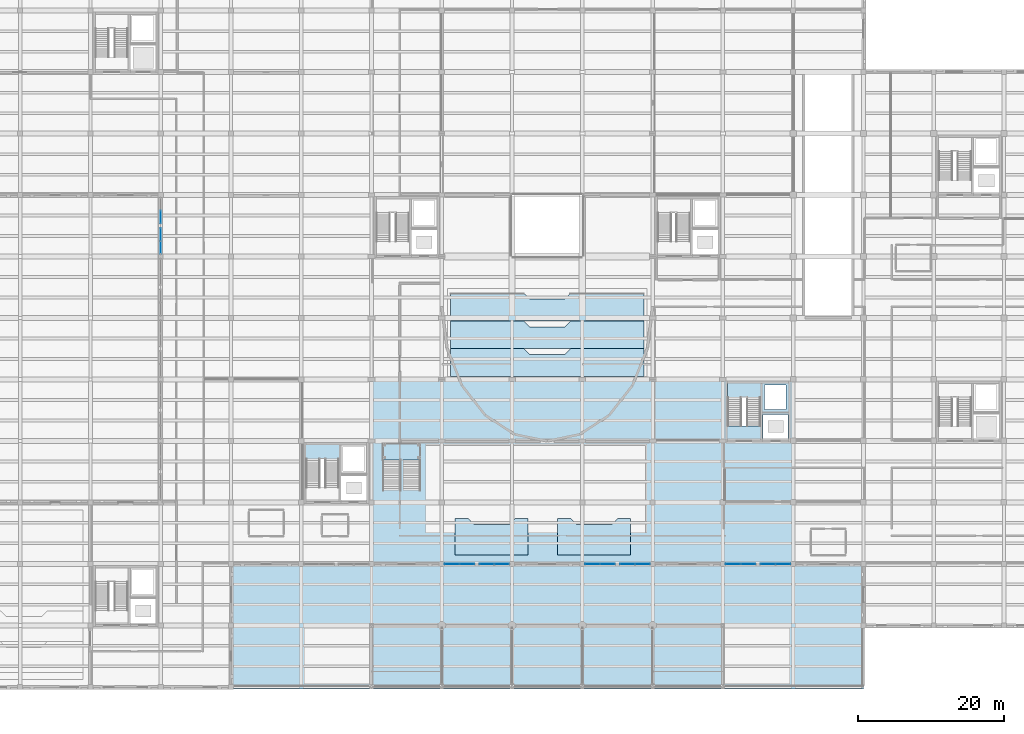
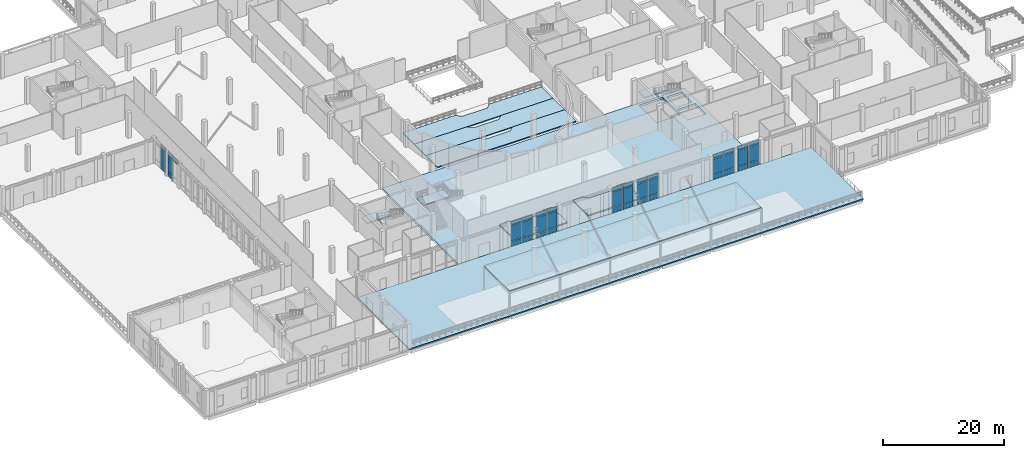
# One storey, part 41 of 71: 43 plates, 11 slabs, 11 elements without a shape of their own.
"""IFC4 building model written with IfcOpenShell, lengths in metres."""

from ifc_helpers import new_model, si_unit, direction, frame, origin, origin_2d, place, context, subcontext, project, spatial, polyline, rectangle, outline, extrude, material, layer, layer_set, type_object, element, aggregate, save


model = new_model("IFC4")

# Units and contexts
model_context = context("Model", 3, precision=1e-05, world=origin(), true_north=direction((0.0, 1.0)))
body_context = subcontext(model_context, "Body", "Model", "MODEL_VIEW")
ifc_project = project(units=[si_unit("LENGTHUNIT", "METRE"), si_unit("AREAUNIT", "SQUARE_METRE"), si_unit("VOLUMEUNIT", "CUBIC_METRE"), si_unit("PLANEANGLEUNIT", "RADIAN"), si_unit("MASSUNIT", "GRAM", prefix="KILO")], contexts=[model_context])

# Site, building, storey
site_placement = place(None, origin())
site = spatial("IfcSite", under=ifc_project, at=site_placement, CompositionType="ELEMENT")
building_placement = place(site_placement, origin())
building = spatial("IfcBuilding", under=site, at=building_placement, Name="Lornevale Opera House", CompositionType="ELEMENT")
storey_placement = place(building_placement, origin())
storey = spatial("IfcBuildingStorey", under=building, at=storey_placement, Name="L01", CompositionType="ELEMENT", Elevation=0.0)

# Curtain wall, plates
ifc_material_1 = material(Name="Anodized Oxide-Green Aluminium Framing", Category="aluminium")
ifc_layer_1 = layer(ifc_material_1, 0.215087890625)
ifc_layer_set_1 = layer_set([ifc_layer_1], Name="Anodized Oxide-Green Aluminium Framing")
curtain_wall_type = type_object("IfcCurtainWallType", Name="Grand Foyer Curtain Wall M2000", PredefinedType="NOTDEFINED", material=ifc_layer_set_1)
curtain_wall_1_placement = place(storey_placement, origin())
curtain_wall_1 = element("IfcCurtainWall", 1, at=curtain_wall_1_placement, inside=storey, type_object=curtain_wall_type, Name="Grand Foyer Curtain Wall M2000 CW-009", PredefinedType="NOTDEFINED")
ifc_material_2 = material(Name="Triple Low-E Insulated Glazing", Category="glass")
ifc_layer_2 = layer(ifc_material_2, 0.0419921875)
ifc_layer_set_2 = layer_set([ifc_layer_2], Name="Triple Low-E Insulated Glazing")
plate_type = type_object("IfcPlateType", Name="Ceramic Fritted Bird-Safe Panel 42", PredefinedType="CURTAIN_PANEL", material=ifc_layer_set_2)
plate_1_placement = place(storey_placement, frame((28.800048828125, 60.03955078125, 4.1875), z_axis=(0.0, 0.0, 1.0), x_axis=(0.0, 1.0, 0.0)))
plate_1 = element("IfcPlate", 2, at=plate_1_placement, type_object=plate_type, Name="Ceramic Fritted Bird-Safe Panel 42 CW0146", PredefinedType="CURTAIN_PANEL", context=body_context, shape_type="SweptSolid", body=[
    extrude(rectangle(XDim=1.68701171875, YDim=0.0419921875, at=origin_2d()), origin(), (0.0, 0.0, 1.0), 0.83740234375),
])
plate_2_placement = place(storey_placement, frame((28.800048828125, 61.801513671875, 0.074951171875), z_axis=(0.0, 0.0, 1.0), x_axis=(0.0, 1.0, 0.0)))
plate_2 = element("IfcPlate", 3, at=plate_2_placement, type_object=plate_type, Name="Ceramic Fritted Bird-Safe Panel 42 CW0151", PredefinedType="CURTAIN_PANEL", context=body_context, shape_type="SweptSolid", body=[
    extrude(rectangle(XDim=1.68701171875, YDim=0.0419921875, at=origin_2d()), origin(), (0.0, 0.0, 1.0), 0.9375),
])
plate_3_placement = place(storey_placement, frame((28.800048828125, 61.801513671875, 1.087646484375), z_axis=(0.0, 0.0, 1.0), x_axis=(0.0, 1.0, 0.0)))
plate_3 = element("IfcPlate", 4, at=plate_3_placement, type_object=plate_type, Name="Ceramic Fritted Bird-Safe Panel 42 CW0152", PredefinedType="CURTAIN_PANEL", context=body_context, shape_type="SweptSolid", body=[
    extrude(rectangle(XDim=1.68701171875, YDim=0.0419921875, at=origin_2d()), origin(), (0.0, 0.0, 1.0), 3.02490234375),
])
plate_4_placement = place(storey_placement, frame((28.800048828125, 61.801513671875, 4.1875), z_axis=(0.0, 0.0, 1.0), x_axis=(0.0, 1.0, 0.0)))
plate_4 = element("IfcPlate", 5, at=plate_4_placement, type_object=plate_type, Name="Ceramic Fritted Bird-Safe Panel 42 CW0153", PredefinedType="CURTAIN_PANEL", context=body_context, shape_type="SweptSolid", body=[
    extrude(rectangle(XDim=1.68701171875, YDim=0.0419921875, at=origin_2d()), origin(), (0.0, 0.0, 1.0), 0.83740234375),
])
aggregate(curtain_wall_1, [plate_1, plate_2, plate_3, plate_4])

curtain_wall_2_placement = place(storey_placement, origin())
curtain_wall_2 = element("IfcCurtainWall", 6, at=curtain_wall_2_placement, inside=storey, type_object=curtain_wall_type, Name="Grand Foyer Curtain Wall M2000 CW-010", PredefinedType="NOTDEFINED")
plate_5_placement = place(storey_placement, frame((28.800048828125, 64.1923828125, 0.074951171875), z_axis=(0.0, 0.0, 1.0), x_axis=(0.0, 1.0, 0.0)))
plate_5 = element("IfcPlate", 7, at=plate_5_placement, type_object=plate_type, Name="Ceramic Fritted Bird-Safe Panel 42 CW0161", PredefinedType="CURTAIN_PANEL", context=body_context, shape_type="SweptSolid", body=[
    extrude(rectangle(XDim=1.674560546875, YDim=0.0419921875, at=origin_2d()), origin(), (0.0, 0.0, 1.0), 0.9375),
])
plate_6_placement = place(storey_placement, frame((28.800048828125, 64.1923828125, 1.087646484375), z_axis=(0.0, 0.0, 1.0), x_axis=(0.0, 1.0, 0.0)))
plate_6 = element("IfcPlate", 8, at=plate_6_placement, type_object=plate_type, Name="Ceramic Fritted Bird-Safe Panel 42 CW0162", PredefinedType="CURTAIN_PANEL", context=body_context, shape_type="SweptSolid", body=[
    extrude(rectangle(XDim=1.674560546875, YDim=0.0419921875, at=origin_2d()), origin(), (0.0, 0.0, 1.0), 3.02490234375),
])
plate_7_placement = place(storey_placement, frame((28.800048828125, 64.1923828125, 4.1875), z_axis=(0.0, 0.0, 1.0), x_axis=(0.0, 1.0, 0.0)))
plate_7 = element("IfcPlate", 9, at=plate_7_placement, type_object=plate_type, Name="Ceramic Fritted Bird-Safe Panel 42 CW0163", PredefinedType="CURTAIN_PANEL", context=body_context, shape_type="SweptSolid", body=[
    extrude(rectangle(XDim=1.674560546875, YDim=0.0419921875, at=origin_2d()), origin(), (0.0, 0.0, 1.0), 0.83740234375),
])
aggregate(curtain_wall_2, [plate_5, plate_6, plate_7])

curtain_wall_3_placement = place(storey_placement, origin())
curtain_wall_3 = element("IfcCurtainWall", 10, at=curtain_wall_3_placement, inside=storey, type_object=curtain_wall_type, Name="Grand Foyer Curtain Wall M2000 CW-013", PredefinedType="NOTDEFINED")
plate_8_placement = place(storey_placement, frame((75.391845703125, 16.800048828125, 0.074951171875), z_axis=(0.0, 0.0, 1.0), x_axis=(-1.0, 0.0, 0.0)))
plate_8 = element("IfcPlate", 11, at=plate_8_placement, type_object=plate_type, Name="Ceramic Fritted Bird-Safe Panel 42 CW0212", PredefinedType="CURTAIN_PANEL", context=body_context, shape_type="SweptSolid", body=[
    extrude(rectangle(XDim=1.974609375, YDim=0.0419921875, at=origin_2d()), origin(), (0.0, 0.0, 1.0), 0.9375),
])
plate_9_placement = place(storey_placement, frame((75.391845703125, 16.800048828125, 1.087646484375), z_axis=(0.0, 0.0, 1.0), x_axis=(-1.0, 0.0, 0.0)))
plate_9 = element("IfcPlate", 12, at=plate_9_placement, type_object=plate_type, Name="Ceramic Fritted Bird-Safe Panel 42 CW0213", PredefinedType="CURTAIN_PANEL", context=body_context, shape_type="SweptSolid", body=[
    extrude(rectangle(XDim=1.974609375, YDim=0.0419921875, at=origin_2d()), origin(), (0.0, 0.0, 1.0), 3.02490234375),
])
plate_10_placement = place(storey_placement, frame((75.391845703125, 16.800048828125, 4.1875), z_axis=(0.0, 0.0, 1.0), x_axis=(-1.0, 0.0, 0.0)))
plate_10 = element("IfcPlate", 13, at=plate_10_placement, type_object=plate_type, Name="Ceramic Fritted Bird-Safe Panel 42 CW0214", PredefinedType="CURTAIN_PANEL", context=body_context, shape_type="SweptSolid", body=[
    extrude(rectangle(XDim=1.974609375, YDim=0.0419921875, at=origin_2d()), origin(), (0.0, 0.0, 1.0), 0.83740234375),
])
plate_11_placement = place(storey_placement, frame((73.34228515625, 16.800048828125, 0.074951171875), z_axis=(0.0, 0.0, 1.0), x_axis=(-1.0, 0.0, 0.0)))
plate_11 = element("IfcPlate", 14, at=plate_11_placement, type_object=plate_type, Name="Ceramic Fritted Bird-Safe Panel 42 CW0219", PredefinedType="CURTAIN_PANEL", context=body_context, shape_type="SweptSolid", body=[
    extrude(rectangle(XDim=1.974609375, YDim=0.0419921875, at=origin_2d()), origin(), (0.0, 0.0, 1.0), 0.9375),
])
plate_12_placement = place(storey_placement, frame((73.34228515625, 16.800048828125, 1.087646484375), z_axis=(0.0, 0.0, 1.0), x_axis=(-1.0, 0.0, 0.0)))
plate_12 = element("IfcPlate", 15, at=plate_12_placement, type_object=plate_type, Name="Ceramic Fritted Bird-Safe Panel 42 CW0220", PredefinedType="CURTAIN_PANEL", context=body_context, shape_type="SweptSolid", body=[
    extrude(rectangle(XDim=1.974609375, YDim=0.0419921875, at=origin_2d()), origin(), (0.0, 0.0, 1.0), 3.02490234375),
])
plate_13_placement = place(storey_placement, frame((73.34228515625, 16.800048828125, 4.1875), z_axis=(0.0, 0.0, 1.0), x_axis=(-1.0, 0.0, 0.0)))
plate_13 = element("IfcPlate", 16, at=plate_13_placement, type_object=plate_type, Name="Ceramic Fritted Bird-Safe Panel 42 CW0221", PredefinedType="CURTAIN_PANEL", context=body_context, shape_type="SweptSolid", body=[
    extrude(rectangle(XDim=1.974609375, YDim=0.0419921875, at=origin_2d()), origin(), (0.0, 0.0, 1.0), 0.83740234375),
])
aggregate(curtain_wall_3, [plate_8, plate_9, plate_10, plate_11, plate_12, plate_13])

curtain_wall_4_placement = place(storey_placement, origin())
curtain_wall_4 = element("IfcCurtainWall", 17, at=curtain_wall_4_placement, inside=storey, type_object=curtain_wall_type, Name="Grand Foyer Curtain Wall M2000 CW-014", PredefinedType="NOTDEFINED")
plate_14_placement = place(storey_placement, frame((70.65771484375, 16.800048828125, 0.074951171875), z_axis=(0.0, 0.0, 1.0), x_axis=(-1.0, 0.0, 0.0)))
plate_14 = element("IfcPlate", 18, at=plate_14_placement, type_object=plate_type, Name="Ceramic Fritted Bird-Safe Panel 42 CW0229", PredefinedType="CURTAIN_PANEL", context=body_context, shape_type="SweptSolid", body=[
    extrude(rectangle(XDim=1.974609375, YDim=0.0419921875, at=origin_2d()), origin(), (0.0, 0.0, 1.0), 0.9375),
])
plate_15_placement = place(storey_placement, frame((70.65771484375, 16.800048828125, 1.087646484375), z_axis=(0.0, 0.0, 1.0), x_axis=(-1.0, 0.0, 0.0)))
plate_15 = element("IfcPlate", 19, at=plate_15_placement, type_object=plate_type, Name="Ceramic Fritted Bird-Safe Panel 42 CW0230", PredefinedType="CURTAIN_PANEL", context=body_context, shape_type="SweptSolid", body=[
    extrude(rectangle(XDim=1.974609375, YDim=0.0419921875, at=origin_2d()), origin(), (0.0, 0.0, 1.0), 3.02490234375),
])
plate_16_placement = place(storey_placement, frame((70.65771484375, 16.800048828125, 4.1875), z_axis=(0.0, 0.0, 1.0), x_axis=(-1.0, 0.0, 0.0)))
plate_16 = element("IfcPlate", 20, at=plate_16_placement, type_object=plate_type, Name="Ceramic Fritted Bird-Safe Panel 42 CW0231", PredefinedType="CURTAIN_PANEL", context=body_context, shape_type="SweptSolid", body=[
    extrude(rectangle(XDim=1.974609375, YDim=0.0419921875, at=origin_2d()), origin(), (0.0, 0.0, 1.0), 0.83740234375),
])
plate_17_placement = place(storey_placement, frame((68.608154296875, 16.800048828125, 0.074951171875), z_axis=(0.0, 0.0, 1.0), x_axis=(-1.0, 0.0, 0.0)))
plate_17 = element("IfcPlate", 21, at=plate_17_placement, type_object=plate_type, Name="Ceramic Fritted Bird-Safe Panel 42 CW0236", PredefinedType="CURTAIN_PANEL", context=body_context, shape_type="SweptSolid", body=[
    extrude(rectangle(XDim=1.974609375, YDim=0.0419921875, at=origin_2d()), origin(), (0.0, 0.0, 1.0), 0.9375),
])
plate_18_placement = place(storey_placement, frame((68.608154296875, 16.800048828125, 1.087646484375), z_axis=(0.0, 0.0, 1.0), x_axis=(-1.0, 0.0, 0.0)))
plate_18 = element("IfcPlate", 22, at=plate_18_placement, type_object=plate_type, Name="Ceramic Fritted Bird-Safe Panel 42 CW0237", PredefinedType="CURTAIN_PANEL", context=body_context, shape_type="SweptSolid", body=[
    extrude(rectangle(XDim=1.974609375, YDim=0.0419921875, at=origin_2d()), origin(), (0.0, 0.0, 1.0), 3.02490234375),
])
plate_19_placement = place(storey_placement, frame((68.608154296875, 16.800048828125, 4.1875), z_axis=(0.0, 0.0, 1.0), x_axis=(-1.0, 0.0, 0.0)))
plate_19 = element("IfcPlate", 23, at=plate_19_placement, type_object=plate_type, Name="Ceramic Fritted Bird-Safe Panel 42 CW0238", PredefinedType="CURTAIN_PANEL", context=body_context, shape_type="SweptSolid", body=[
    extrude(rectangle(XDim=1.974609375, YDim=0.0419921875, at=origin_2d()), origin(), (0.0, 0.0, 1.0), 0.83740234375),
])
aggregate(curtain_wall_4, [plate_14, plate_15, plate_16, plate_17, plate_18, plate_19])

curtain_wall_5_placement = place(storey_placement, origin())
curtain_wall_5 = element("IfcCurtainWall", 24, at=curtain_wall_5_placement, inside=storey, type_object=curtain_wall_type, Name="Grand Foyer Curtain Wall M2000 CW-015", PredefinedType="NOTDEFINED")
plate_20_placement = place(storey_placement, frame((94.591796875, 16.800048828125, 0.074951171875), z_axis=(0.0, 0.0, 1.0), x_axis=(-1.0, 0.0, 0.0)))
plate_20 = element("IfcPlate", 25, at=plate_20_placement, type_object=plate_type, Name="Ceramic Fritted Bird-Safe Panel 42 CW0246", PredefinedType="CURTAIN_PANEL", context=body_context, shape_type="SweptSolid", body=[
    extrude(rectangle(XDim=1.974609375, YDim=0.0419921875, at=origin_2d()), origin(), (0.0, 0.0, 1.0), 0.9375),
])
plate_21_placement = place(storey_placement, frame((94.591796875, 16.800048828125, 1.087646484375), z_axis=(0.0, 0.0, 1.0), x_axis=(-1.0, 0.0, 0.0)))
plate_21 = element("IfcPlate", 26, at=plate_21_placement, type_object=plate_type, Name="Ceramic Fritted Bird-Safe Panel 42 CW0247", PredefinedType="CURTAIN_PANEL", context=body_context, shape_type="SweptSolid", body=[
    extrude(rectangle(XDim=1.974609375, YDim=0.0419921875, at=origin_2d()), origin(), (0.0, 0.0, 1.0), 3.02490234375),
])
plate_22_placement = place(storey_placement, frame((94.591796875, 16.800048828125, 4.1875), z_axis=(0.0, 0.0, 1.0), x_axis=(-1.0, 0.0, 0.0)))
plate_22 = element("IfcPlate", 27, at=plate_22_placement, type_object=plate_type, Name="Ceramic Fritted Bird-Safe Panel 42 CW0248", PredefinedType="CURTAIN_PANEL", context=body_context, shape_type="SweptSolid", body=[
    extrude(rectangle(XDim=1.974609375, YDim=0.0419921875, at=origin_2d()), origin(), (0.0, 0.0, 1.0), 0.83740234375),
])
plate_23_placement = place(storey_placement, frame((92.542236328125, 16.800048828125, 0.074951171875), z_axis=(0.0, 0.0, 1.0), x_axis=(-1.0, 0.0, 0.0)))
plate_23 = element("IfcPlate", 28, at=plate_23_placement, type_object=plate_type, Name="Ceramic Fritted Bird-Safe Panel 42 CW0253", PredefinedType="CURTAIN_PANEL", context=body_context, shape_type="SweptSolid", body=[
    extrude(rectangle(XDim=1.974609375, YDim=0.0419921875, at=origin_2d()), origin(), (0.0, 0.0, 1.0), 0.9375),
])
plate_24_placement = place(storey_placement, frame((92.542236328125, 16.800048828125, 1.087646484375), z_axis=(0.0, 0.0, 1.0), x_axis=(-1.0, 0.0, 0.0)))
plate_24 = element("IfcPlate", 29, at=plate_24_placement, type_object=plate_type, Name="Ceramic Fritted Bird-Safe Panel 42 CW0254", PredefinedType="CURTAIN_PANEL", context=body_context, shape_type="SweptSolid", body=[
    extrude(rectangle(XDim=1.974609375, YDim=0.0419921875, at=origin_2d()), origin(), (0.0, 0.0, 1.0), 3.02490234375),
])
plate_25_placement = place(storey_placement, frame((92.542236328125, 16.800048828125, 4.1875), z_axis=(0.0, 0.0, 1.0), x_axis=(-1.0, 0.0, 0.0)))
plate_25 = element("IfcPlate", 30, at=plate_25_placement, type_object=plate_type, Name="Ceramic Fritted Bird-Safe Panel 42 CW0255", PredefinedType="CURTAIN_PANEL", context=body_context, shape_type="SweptSolid", body=[
    extrude(rectangle(XDim=1.974609375, YDim=0.0419921875, at=origin_2d()), origin(), (0.0, 0.0, 1.0), 0.83740234375),
])
aggregate(curtain_wall_5, [plate_20, plate_21, plate_22, plate_23, plate_24, plate_25])

curtain_wall_6_placement = place(storey_placement, origin())
curtain_wall_6 = element("IfcCurtainWall", 31, at=curtain_wall_6_placement, inside=storey, type_object=curtain_wall_type, Name="Grand Foyer Curtain Wall M2000 CW-016", PredefinedType="NOTDEFINED")
plate_26_placement = place(storey_placement, frame((89.857666015625, 16.800048828125, 0.074951171875), z_axis=(0.0, 0.0, 1.0), x_axis=(-1.0, 0.0, 0.0)))
plate_26 = element("IfcPlate", 32, at=plate_26_placement, type_object=plate_type, Name="Ceramic Fritted Bird-Safe Panel 42 CW0263", PredefinedType="CURTAIN_PANEL", context=body_context, shape_type="SweptSolid", body=[
    extrude(rectangle(XDim=1.974609375, YDim=0.0419921875, at=origin_2d()), origin(), (0.0, 0.0, 1.0), 0.9375),
])
plate_27_placement = place(storey_placement, frame((89.857666015625, 16.800048828125, 1.087646484375), z_axis=(0.0, 0.0, 1.0), x_axis=(-1.0, 0.0, 0.0)))
plate_27 = element("IfcPlate", 33, at=plate_27_placement, type_object=plate_type, Name="Ceramic Fritted Bird-Safe Panel 42 CW0264", PredefinedType="CURTAIN_PANEL", context=body_context, shape_type="SweptSolid", body=[
    extrude(rectangle(XDim=1.974609375, YDim=0.0419921875, at=origin_2d()), origin(), (0.0, 0.0, 1.0), 3.02490234375),
])
plate_28_placement = place(storey_placement, frame((89.857666015625, 16.800048828125, 4.1875), z_axis=(0.0, 0.0, 1.0), x_axis=(-1.0, 0.0, 0.0)))
plate_28 = element("IfcPlate", 34, at=plate_28_placement, type_object=plate_type, Name="Ceramic Fritted Bird-Safe Panel 42 CW0265", PredefinedType="CURTAIN_PANEL", context=body_context, shape_type="SweptSolid", body=[
    extrude(rectangle(XDim=1.974609375, YDim=0.0419921875, at=origin_2d()), origin(), (0.0, 0.0, 1.0), 0.83740234375),
])
plate_29_placement = place(storey_placement, frame((87.808349609375, 16.800048828125, 0.074951171875), z_axis=(0.0, 0.0, 1.0), x_axis=(-1.0, 0.0, 0.0)))
plate_29 = element("IfcPlate", 35, at=plate_29_placement, type_object=plate_type, Name="Ceramic Fritted Bird-Safe Panel 42 CW0270", PredefinedType="CURTAIN_PANEL", context=body_context, shape_type="SweptSolid", body=[
    extrude(rectangle(XDim=1.974609375, YDim=0.0419921875, at=origin_2d()), origin(), (0.0, 0.0, 1.0), 0.9375),
])
plate_30_placement = place(storey_placement, frame((87.808349609375, 16.800048828125, 1.087646484375), z_axis=(0.0, 0.0, 1.0), x_axis=(-1.0, 0.0, 0.0)))
plate_30 = element("IfcPlate", 36, at=plate_30_placement, type_object=plate_type, Name="Ceramic Fritted Bird-Safe Panel 42 CW0271", PredefinedType="CURTAIN_PANEL", context=body_context, shape_type="SweptSolid", body=[
    extrude(rectangle(XDim=1.974609375, YDim=0.0419921875, at=origin_2d()), origin(), (0.0, 0.0, 1.0), 3.02490234375),
])
plate_31_placement = place(storey_placement, frame((87.808349609375, 16.800048828125, 4.1875), z_axis=(0.0, 0.0, 1.0), x_axis=(-1.0, 0.0, 0.0)))
plate_31 = element("IfcPlate", 37, at=plate_31_placement, type_object=plate_type, Name="Ceramic Fritted Bird-Safe Panel 42 CW0272", PredefinedType="CURTAIN_PANEL", context=body_context, shape_type="SweptSolid", body=[
    extrude(rectangle(XDim=1.974609375, YDim=0.0419921875, at=origin_2d()), origin(), (0.0, 0.0, 1.0), 0.83740234375),
])
aggregate(curtain_wall_6, [plate_26, plate_27, plate_28, plate_29, plate_30, plate_31])

curtain_wall_7_placement = place(storey_placement, origin())
curtain_wall_7 = element("IfcCurtainWall", 38, at=curtain_wall_7_placement, inside=storey, type_object=curtain_wall_type, Name="Grand Foyer Curtain Wall M2000 CW-017", PredefinedType="NOTDEFINED")
plate_32_placement = place(storey_placement, frame((113.791748046875, 16.800048828125, 0.074951171875), z_axis=(0.0, 0.0, 1.0), x_axis=(-1.0, 0.0, 0.0)))
plate_32 = element("IfcPlate", 39, at=plate_32_placement, type_object=plate_type, Name="Ceramic Fritted Bird-Safe Panel 42 CW0280", PredefinedType="CURTAIN_PANEL", context=body_context, shape_type="SweptSolid", body=[
    extrude(rectangle(XDim=1.974609375, YDim=0.0419921875, at=origin_2d()), origin(), (0.0, 0.0, 1.0), 0.9375),
])
plate_33_placement = place(storey_placement, frame((113.791748046875, 16.800048828125, 1.087646484375), z_axis=(0.0, 0.0, 1.0), x_axis=(-1.0, 0.0, 0.0)))
plate_33 = element("IfcPlate", 40, at=plate_33_placement, type_object=plate_type, Name="Ceramic Fritted Bird-Safe Panel 42 CW0281", PredefinedType="CURTAIN_PANEL", context=body_context, shape_type="SweptSolid", body=[
    extrude(rectangle(XDim=1.974609375, YDim=0.0419921875, at=origin_2d()), origin(), (0.0, 0.0, 1.0), 3.02490234375),
])
plate_34_placement = place(storey_placement, frame((113.791748046875, 16.800048828125, 4.1875), z_axis=(0.0, 0.0, 1.0), x_axis=(-1.0, 0.0, 0.0)))
plate_34 = element("IfcPlate", 41, at=plate_34_placement, type_object=plate_type, Name="Ceramic Fritted Bird-Safe Panel 42 CW0282", PredefinedType="CURTAIN_PANEL", context=body_context, shape_type="SweptSolid", body=[
    extrude(rectangle(XDim=1.974609375, YDim=0.0419921875, at=origin_2d()), origin(), (0.0, 0.0, 1.0), 0.83740234375),
])
plate_35_placement = place(storey_placement, frame((111.7421875, 16.800048828125, 0.074951171875), z_axis=(0.0, 0.0, 1.0), x_axis=(-1.0, 0.0, 0.0)))
plate_35 = element("IfcPlate", 42, at=plate_35_placement, type_object=plate_type, Name="Ceramic Fritted Bird-Safe Panel 42 CW0287", PredefinedType="CURTAIN_PANEL", context=body_context, shape_type="SweptSolid", body=[
    extrude(rectangle(XDim=1.974609375, YDim=0.0419921875, at=origin_2d()), origin(), (0.0, 0.0, 1.0), 0.9375),
])
plate_36_placement = place(storey_placement, frame((111.7421875, 16.800048828125, 1.087646484375), z_axis=(0.0, 0.0, 1.0), x_axis=(-1.0, 0.0, 0.0)))
plate_36 = element("IfcPlate", 43, at=plate_36_placement, type_object=plate_type, Name="Ceramic Fritted Bird-Safe Panel 42 CW0288", PredefinedType="CURTAIN_PANEL", context=body_context, shape_type="SweptSolid", body=[
    extrude(rectangle(XDim=1.974609375, YDim=0.0419921875, at=origin_2d()), origin(), (0.0, 0.0, 1.0), 3.02490234375),
])
plate_37_placement = place(storey_placement, frame((111.7421875, 16.800048828125, 4.1875), z_axis=(0.0, 0.0, 1.0), x_axis=(-1.0, 0.0, 0.0)))
plate_37 = element("IfcPlate", 44, at=plate_37_placement, type_object=plate_type, Name="Ceramic Fritted Bird-Safe Panel 42 CW0289", PredefinedType="CURTAIN_PANEL", context=body_context, shape_type="SweptSolid", body=[
    extrude(rectangle(XDim=1.974609375, YDim=0.0419921875, at=origin_2d()), origin(), (0.0, 0.0, 1.0), 0.83740234375),
])
aggregate(curtain_wall_7, [plate_32, plate_33, plate_34, plate_35, plate_36, plate_37])

curtain_wall_8_placement = place(storey_placement, origin())
curtain_wall_8 = element("IfcCurtainWall", 45, at=curtain_wall_8_placement, inside=storey, type_object=curtain_wall_type, Name="Grand Foyer Curtain Wall M2000 CW-018", PredefinedType="NOTDEFINED")
plate_38_placement = place(storey_placement, frame((109.0576171875, 16.800048828125, 0.074951171875), z_axis=(0.0, 0.0, 1.0), x_axis=(-1.0, 0.0, 0.0)))
plate_38 = element("IfcPlate", 46, at=plate_38_placement, type_object=plate_type, Name="Ceramic Fritted Bird-Safe Panel 42 CW0297", PredefinedType="CURTAIN_PANEL", context=body_context, shape_type="SweptSolid", body=[
    extrude(rectangle(XDim=1.974609375, YDim=0.0419921875, at=origin_2d()), origin(), (0.0, 0.0, 1.0), 0.9375),
])
plate_39_placement = place(storey_placement, frame((109.0576171875, 16.800048828125, 1.087646484375), z_axis=(0.0, 0.0, 1.0), x_axis=(-1.0, 0.0, 0.0)))
plate_39 = element("IfcPlate", 47, at=plate_39_placement, type_object=plate_type, Name="Ceramic Fritted Bird-Safe Panel 42 CW0298", PredefinedType="CURTAIN_PANEL", context=body_context, shape_type="SweptSolid", body=[
    extrude(rectangle(XDim=1.974609375, YDim=0.0419921875, at=origin_2d()), origin(), (0.0, 0.0, 1.0), 3.02490234375),
])
plate_40_placement = place(storey_placement, frame((109.0576171875, 16.800048828125, 4.1875), z_axis=(0.0, 0.0, 1.0), x_axis=(-1.0, 0.0, 0.0)))
plate_40 = element("IfcPlate", 48, at=plate_40_placement, type_object=plate_type, Name="Ceramic Fritted Bird-Safe Panel 42 CW0299", PredefinedType="CURTAIN_PANEL", context=body_context, shape_type="SweptSolid", body=[
    extrude(rectangle(XDim=1.974609375, YDim=0.0419921875, at=origin_2d()), origin(), (0.0, 0.0, 1.0), 0.83740234375),
])
plate_41_placement = place(storey_placement, frame((107.00830078125, 16.800048828125, 0.074951171875), z_axis=(0.0, 0.0, 1.0), x_axis=(-1.0, 0.0, 0.0)))
plate_41 = element("IfcPlate", 49, at=plate_41_placement, type_object=plate_type, Name="Ceramic Fritted Bird-Safe Panel 42 CW0304", PredefinedType="CURTAIN_PANEL", context=body_context, shape_type="SweptSolid", body=[
    extrude(rectangle(XDim=1.974609375, YDim=0.0419921875, at=origin_2d()), origin(), (0.0, 0.0, 1.0), 0.9375),
])
plate_42_placement = place(storey_placement, frame((107.00830078125, 16.800048828125, 1.087646484375), z_axis=(0.0, 0.0, 1.0), x_axis=(-1.0, 0.0, 0.0)))
plate_42 = element("IfcPlate", 50, at=plate_42_placement, type_object=plate_type, Name="Ceramic Fritted Bird-Safe Panel 42 CW0305", PredefinedType="CURTAIN_PANEL", context=body_context, shape_type="SweptSolid", body=[
    extrude(rectangle(XDim=1.974609375, YDim=0.0419921875, at=origin_2d()), origin(), (0.0, 0.0, 1.0), 3.02490234375),
])
plate_43_placement = place(storey_placement, frame((107.00830078125, 16.800048828125, 4.1875), z_axis=(0.0, 0.0, 1.0), x_axis=(-1.0, 0.0, 0.0)))
plate_43 = element("IfcPlate", 51, at=plate_43_placement, type_object=plate_type, Name="Ceramic Fritted Bird-Safe Panel 42 CW0306", PredefinedType="CURTAIN_PANEL", context=body_context, shape_type="SweptSolid", body=[
    extrude(rectangle(XDim=1.974609375, YDim=0.0419921875, at=origin_2d()), origin(), (0.0, 0.0, 1.0), 0.83740234375),
])
aggregate(curtain_wall_8, [plate_38, plate_39, plate_40, plate_41, plate_42, plate_43])

# Slabs
ifc_material_3 = material(Name="Concrete 40 MPa (CSA A23.1 C-1)", Category="concrete")
ifc_layer_3 = layer(ifc_material_3, 0.25)
ifc_layer_set_3 = layer_set([ifc_layer_3], Name="Concrete 40 MPa (CSA A23.1 C-1)")
slab_type_1 = type_object("IfcSlabType", Name="Escarpment Terrace Deck Slab 250", PredefinedType="USERDEFINED", material=ifc_layer_set_3)
slab_1_placement = place(storey_placement, frame((0.0, 0.0, -0.25)))
element("IfcSlab", 52, at=slab_1_placement, inside=storey, type_object=slab_type_1, Name="South Forecourt Vehicle Drop-Off & Entrance Plaza SL-029", ObjectType="TERRACE", PredefinedType="USERDEFINED", context=body_context, shape_type="SweptSolid", body=[
    extrude(outline(polyline([(38.39990234375, 16.800048828125), (48.0, 16.800048828125), (57.60009765625, 16.800048828125), (67.199951171875, 16.800048828125), (76.800048828125, 16.800048828125), (86.39990234375, 16.800048828125), (96.0, 16.800048828125), (105.60009765625, 16.800048828125), (115.199951171875, 16.800048828125), (124.800048828125, 16.800048828125), (124.800048828125, 8.39990234375), (124.800048828125, 0.0), (124.800048828125, -0.300048828125), (115.199951171875, -0.300048828125), (105.60009765625, -0.300048828125), (96.0, -0.300048828125), (86.39990234375, -0.300048828125), (76.800048828125, -0.300048828125), (67.199951171875, -0.300048828125), (57.60009765625, -0.300048828125), (48.0, -0.300048828125), (38.39990234375, -0.300048828125), (38.39990234375, 0.0), (38.39990234375, 8.39990234375), (38.39990234375, 16.800048828125)])), origin(), (0.0, 0.0, 1.0), 0.25),
])
ifc_material_4 = material(Name="Concrete 35 MPa (CSA A23.1 N)", Category="concrete")
ifc_layer_4 = layer(ifc_material_4, 0.18994140625)
ifc_layer_set_4 = layer_set([ifc_layer_4], Name="Concrete 35 MPa (CSA A23.1 N)")
slab_type_2 = type_object("IfcSlabType", Name="Forecourt Canopy Deck Slab 190", PredefinedType="USERDEFINED", material=ifc_layer_set_4)
slab_2_placement = place(storey_placement, frame((0.0, 0.0, 4.610107421875)))
element("IfcSlab", 53, at=slab_2_placement, inside=storey, type_object=slab_type_2, Name="Forecourt Drop-Off Canopy Deck 063", ObjectType="TERRACE", PredefinedType="USERDEFINED", context=body_context, shape_type="SweptSolid", body=[
    extrude(outline(polyline([(57.60009765625, 0.0), (105.60009765625, 0.0), (105.60009765625, 8.39990234375), (57.60009765625, 8.39990234375), (57.60009765625, 0.0)])), origin(), (0.0, 0.0, 1.0), 0.18994140625),
])
ifc_layer_5 = layer(ifc_material_3, 0.43994140625)
ifc_layer_set_5 = layer_set([ifc_layer_5], Name="Concrete 40 MPa (CSA A23.1 C-1)")
slab_type_3 = type_object("IfcSlabType", Name="Plaza Transfer Ground Slab 440", PredefinedType="FLOOR", material=ifc_layer_set_5)
slab_3_placement = place(storey_placement, frame((0.0, 0.0, -0.43994140625)))
element("IfcSlab", 54, at=slab_3_placement, inside=storey, type_object=slab_type_3, Name="Plaza Transfer Ground Slab 440 SL-021", PredefinedType="FLOOR", context=body_context, shape_type="SweptSolid", body=[
    extrude(outline(polyline([(57.60009765625, 42.0), (67.199951171875, 42.0), (76.800048828125, 42.0), (86.39990234375, 42.0), (96.0, 42.0), (105.60009765625, 42.0), (115.199951171875, 42.0), (115.199951171875, 33.60009765625), (115.199951171875, 25.199951171875), (115.199951171875, 16.800048828125), (105.60009765625, 16.800048828125), (96.0, 16.800048828125), (86.39990234375, 16.800048828125), (76.800048828125, 16.800048828125), (67.199951171875, 16.800048828125), (57.60009765625, 16.800048828125), (57.60009765625, 25.199951171875), (57.60009765625, 33.60009765625), (57.60009765625, 42.0)]), holes=[polyline([(111.06005859375, 33.780029296875), (114.52001953125, 33.780029296875), (114.52001953125, 37.239990234375), (111.06005859375, 37.239990234375), (111.06005859375, 33.780029296875)]), polyline([(106.260009765625, 35.679931640625), (110.739990234375, 35.679931640625), (110.739990234375, 41.47998046875), (106.260009765625, 41.47998046875), (106.260009765625, 35.679931640625)]), polyline([(111.300048828125, 37.89990234375), (114.199951171875, 37.89990234375), (114.199951171875, 41.239990234375), (111.300048828125, 41.239990234375), (111.300048828125, 37.89990234375)])]), origin(), (0.0, 0.0, 1.0), 0.43994140625),
])

# Stair, slab
ifc_layer_6 = layer(ifc_material_4, 5.39990234375)
ifc_layer_set_6 = layer_set([ifc_layer_6], Name="Concrete 35 MPa (CSA A23.1 N)")
stair_type_1 = type_object("IfcStairType", Name="Grand Foyer Feature Stair 5400-W2200", PredefinedType="TWO_STRAIGHT_RUN_STAIR", material=ifc_layer_set_6)
stair_1_placement = place(storey_placement, origin())
stair_1 = element("IfcStair", 55, at=stair_1_placement, inside=storey, type_object=stair_type_1, Name="Winter-Garden Grand Stair ST-40", PredefinedType="TWO_STRAIGHT_RUN_STAIR")
ifc_layer_7 = layer(ifc_material_3, 0.25)
ifc_layer_set_7 = layer_set([ifc_layer_7], Name="Concrete 40 MPa (CSA A23.1 C-1)")
slab_type_4 = type_object("IfcSlabType", Name="Promenade Mid-Landing Slab 250", PredefinedType="LANDING", material=ifc_layer_set_7)
slab_4_placement = place(storey_placement, frame((0.0, 0.0, 2.449951171875)))
slab_4 = element("IfcSlab", 56, at=slab_4_placement, type_object=slab_type_4, Name="Grand Stair Half-Landing ST-40", PredefinedType="LANDING", context=body_context, shape_type="SweptSolid", body=[
    extrude(outline(polyline([(59.14990234375, 30.97998046875), (64.25, 30.97998046875), (64.25, 33.25), (59.14990234375, 33.25), (59.14990234375, 30.97998046875)])), origin(), (0.0, 0.0, 1.0), 0.25),
])
aggregate(stair_1, [slab_4])

# Slabs
ifc_layer_8 = layer(ifc_material_4, 0.2099609375)
ifc_layer_set_8 = layer_set([ifc_layer_8], Name="Concrete 35 MPa (CSA A23.1 N)")
slab_type_5 = type_object("IfcSlabType", Name="Raked Seating Tier Platform 210", PredefinedType="USERDEFINED", material=ifc_layer_set_8)
slab_5_placement = place(storey_placement, frame((0.0, 0.0, -0.010009765625)))
element("IfcSlab", 57, at=slab_5_placement, inside=storey, type_object=slab_type_5, Name="Raked Seating Tier Platform 210 SL-092", ObjectType="SEATING TIER", PredefinedType="USERDEFINED", context=body_context, shape_type="SweptSolid", body=[
    extrude(outline(polyline([(68.39990234375, 42.39990234375), (94.800048828125, 42.39990234375), (94.800048828125, 46.199951171875), (84.800048828125, 46.199951171875), (84.0, 45.39990234375), (79.199951171875, 45.39990234375), (78.39990234375, 46.199951171875), (68.39990234375, 46.199951171875), (68.39990234375, 42.39990234375)])), origin(), (0.0, 0.0, 1.0), 0.219970703125),
])
slab_6_placement = place(storey_placement, frame((0.0, 0.0, -0.010009765625)))
element("IfcSlab", 58, at=slab_6_placement, inside=storey, type_object=slab_type_5, Name="Raked Seating Tier Platform 210 SL-093", ObjectType="SEATING TIER", PredefinedType="USERDEFINED", context=body_context, shape_type="SweptSolid", body=[
    extrude(outline(polyline([(68.39990234375, 46.199951171875), (94.800048828125, 46.199951171875), (94.800048828125, 50.0), (84.800048828125, 50.0), (84.0, 49.199951171875), (79.199951171875, 49.199951171875), (78.39990234375, 50.0), (68.39990234375, 50.0), (68.39990234375, 46.199951171875)])), origin(), (0.0, 0.0, 1.0), 0.219970703125),
])
slab_7_placement = place(storey_placement, frame((0.0, 0.0, -0.010009765625)))
element("IfcSlab", 59, at=slab_7_placement, inside=storey, type_object=slab_type_5, Name="Raked Seating Tier Platform 210 SL-094", ObjectType="SEATING TIER", PredefinedType="USERDEFINED", context=body_context, shape_type="SweptSolid", body=[
    extrude(outline(polyline([(68.39990234375, 50.0), (94.800048828125, 50.0), (94.800048828125, 53.800048828125), (84.800048828125, 53.800048828125), (84.0, 53.0), (79.199951171875, 53.0), (78.39990234375, 53.800048828125), (68.39990234375, 53.800048828125), (68.39990234375, 50.0)])), origin(), (0.0, 0.0, 1.0), 0.219970703125),
])
slab_8_placement = place(storey_placement, frame((0.0, 0.0, -0.010009765625)))
element("IfcSlab", 60, at=slab_8_placement, inside=storey, type_object=slab_type_5, Name="Raked Seating Tier Platform 210 SL-103", ObjectType="SEATING TIER", PredefinedType="USERDEFINED", context=body_context, shape_type="SweptSolid", body=[
    extrude(outline(polyline([(69.0, 18.0), (79.0, 18.0), (79.0, 23.0), (77.199951171875, 23.0), (76.39990234375, 22.199951171875), (71.60009765625, 22.199951171875), (70.800048828125, 23.0), (69.0, 23.0), (69.0, 18.0)])), origin(), (0.0, 0.0, 1.0), 0.219970703125),
])
slab_9_placement = place(storey_placement, frame((0.0, 0.0, -0.010009765625)))
element("IfcSlab", 61, at=slab_9_placement, inside=storey, type_object=slab_type_5, Name="Raked Seating Tier Platform 210 SL-104", ObjectType="SEATING TIER", PredefinedType="USERDEFINED", context=body_context, shape_type="SweptSolid", body=[
    extrude(outline(polyline([(83.0, 18.0), (93.0, 18.0), (93.0, 23.0), (91.199951171875, 23.0), (90.39990234375, 22.199951171875), (85.60009765625, 22.199951171875), (84.800048828125, 23.0), (83.0, 23.0), (83.0, 18.0)])), origin(), (0.0, 0.0, 1.0), 0.219970703125),
])

# Stair, slab
ifc_layer_9 = layer(ifc_material_4, 5.39990234375)
ifc_layer_set_9 = layer_set([ifc_layer_9], Name="Concrete 35 MPa (CSA A23.1 N)")
stair_type_2 = type_object("IfcStairType", Name="Protected Exit Stair 5400-W1840", PredefinedType="TWO_STRAIGHT_RUN_STAIR", material=ifc_layer_set_9)
stair_2_placement = place(storey_placement, origin())
stair_2 = element("IfcStair", 62, at=stair_2_placement, inside=storey, type_object=stair_type_2, Name="South-West Foyer Core Stair ST-03 (L01-L02)", PredefinedType="TWO_STRAIGHT_RUN_STAIR")
ifc_layer_10 = layer(ifc_material_4, 0.219970703125)
ifc_layer_set_10 = layer_set([ifc_layer_10], Name="Concrete 35 MPa (CSA A23.1 N)")
slab_type_6 = type_object("IfcSlabType", Name="Stair Half-Landing Slab 220", PredefinedType="LANDING", material=ifc_layer_set_10)
slab_10_placement = place(storey_placement, frame((0.0, 0.0, 2.47998046875)))
slab_10 = element("IfcSlab", 63, at=slab_10_placement, type_object=slab_type_6, Name="ST-03 Half-Landing SL-LND-003", PredefinedType="LANDING", context=body_context, shape_type="SweptSolid", body=[
    extrude(outline(polyline([(48.60009765625, 31.159912109375), (53.199951171875, 31.159912109375), (53.199951171875, 33.179931640625), (48.60009765625, 33.179931640625), (48.60009765625, 31.159912109375)])), origin(), (0.0, 0.0, 1.0), 0.219970703125),
])
aggregate(stair_2, [slab_10])

stair_3_placement = place(storey_placement, origin())
stair_3 = element("IfcStair", 64, at=stair_3_placement, inside=storey, type_object=stair_type_2, Name="South-East Foyer Core Stair ST-06 (L01-L02)", PredefinedType="TWO_STRAIGHT_RUN_STAIR")
slab_11_placement = place(storey_placement, frame((0.0, 0.0, 2.47998046875)))
slab_11 = element("IfcSlab", 65, at=slab_11_placement, type_object=slab_type_6, Name="ST-06 Half-Landing SL-LND-006", PredefinedType="LANDING", context=body_context, shape_type="SweptSolid", body=[
    extrude(outline(polyline([(106.199951171875, 39.56005859375), (110.800048828125, 39.56005859375), (110.800048828125, 41.580078125), (106.199951171875, 41.580078125), (106.199951171875, 39.56005859375)])), origin(), (0.0, 0.0, 1.0), 0.219970703125),
])
aggregate(stair_3, [slab_11])

save(model, "model.ifc")
